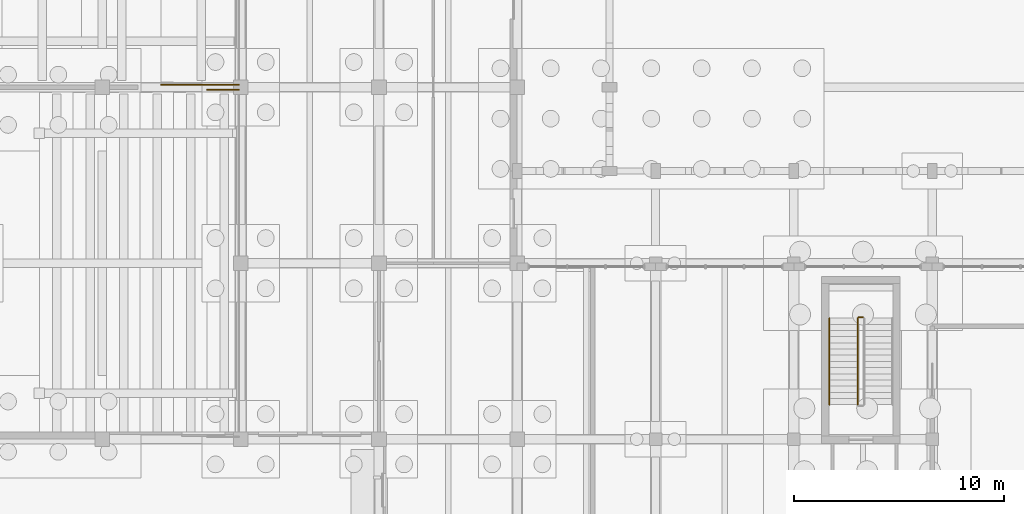
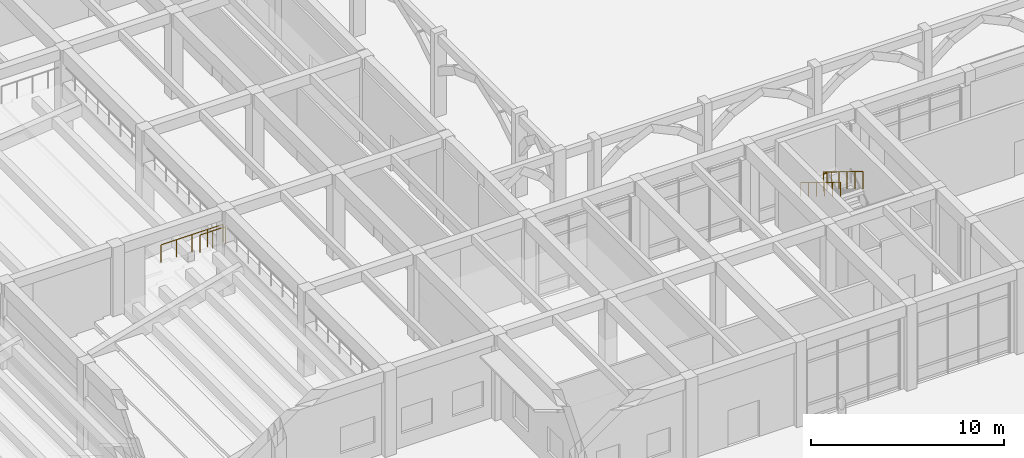
# One storey, part 77 of 82: 5 railings.
"""IFC4 building model written with IfcOpenShell, lengths in metres."""

import ifcopenshell
import ifcopenshell.guid

model = None  # the IFC model being written
_history = None  # IfcOwnerHistory: only IFC2X3 demands one
_inside = {}  # id of a spatial element -> (the spatial element, [elements in it])
_under = {}  # id of a project, library or spatial element -> (it, [spatial elements below it])
_declared = {}  # id of a project -> (the project, [libraries it declares])
_typed = {}  # id of a type object -> (the type object, [elements of that type])
_made_of = {}  # id of a material, layer set ... -> (it, [elements and type objects made of it])


def new_model(schema):
    """Start an empty IFC model of exactly this schema.

    Asked for "IFC4X3", IfcOpenShell would pick the latest addendum, in which some entities
    have other attributes; the version numbers below select the first issue.
    IFC2X3 requires an IfcOwnerHistory on every rooted entity: one is made here for all.
    """
    global model, _history
    if schema == "IFC4X3":
        model = ifcopenshell.file(schema_version=(4, 3, 0, 0))
    else:
        model = ifcopenshell.file(schema=schema)
    _inside.clear()
    _under.clear()
    _declared.clear()
    _typed.clear()
    _made_of.clear()
    _history = None
    if model.schema == "IFC2X3":
        org = make("IfcOrganization", Name="unknown")
        user = make(
            "IfcPersonAndOrganization",
            ThePerson=make("IfcPerson", FamilyName="unknown"),
            TheOrganization=org,
        )
        app = make(
            "IfcApplication",
            ApplicationDeveloper=org,
            Version="unknown",
            ApplicationFullName="unknown",
            ApplicationIdentifier="unknown",
        )
        _history = make(
            "IfcOwnerHistory",
            OwningUser=user,
            OwningApplication=app,
            ChangeAction="ADDED",
            CreationDate=0,
        )
    return model


def make(cls, **values):
    """One entity of the class cls with the attributes given. An attribute that is None is left unset."""
    return model.create_entity(
        cls, **{name: value for name, value in values.items() if value is not None}
    )


def rooted(cls, **values):
    """An entity with a GlobalId (a new one), such as an element, a storey or a relation."""
    return make(cls, GlobalId=ifcopenshell.guid.new(), OwnerHistory=_history, **values)


def si_unit(unit_type, name, prefix=None):
    """IfcSIUnit, for example si_unit("LENGTHUNIT", "METRE", prefix="MILLI")."""
    return make("IfcSIUnit", UnitType=unit_type, Prefix=prefix, Name=name)


def assignment(units):
    """IfcUnitAssignment: the units of a project."""
    return None if units is None else make("IfcUnitAssignment", Units=units)


def point(xyz):
    """IfcCartesianPoint."""
    return None if xyz is None else make("IfcCartesianPoint", Coordinates=xyz)


def direction(xyz):
    """IfcDirection."""
    return None if xyz is None else make("IfcDirection", DirectionRatios=xyz)


def frame(location, z_axis=None, x_axis=None):
    """IfcAxis2Placement3D, a coordinate frame: its origin and axes. An axis left out is left unset."""
    return make(
        "IfcAxis2Placement3D",
        Location=point(location),
        Axis=direction(z_axis),
        RefDirection=direction(x_axis),
    )


def frame_2d(location, x_axis=None):
    """IfcAxis2Placement2D, a coordinate frame in the plane: its origin and x axis."""
    return make(
        "IfcAxis2Placement2D", Location=point(location), RefDirection=direction(x_axis)
    )


def origin():
    """The frame at (0, 0, 0) with its axes left unset."""
    return frame((0.0, 0.0, 0.0))


def origin_2d():
    """The frame at (0, 0) in the plane with its x axis left unset."""
    return frame_2d((0.0, 0.0))


def place(relative_to, where):
    """IfcLocalPlacement: puts the frame where relative to a parent placement (None: the world)."""
    return make(
        "IfcLocalPlacement", PlacementRelTo=relative_to, RelativePlacement=where
    )


def context(
    kind, dimensions, precision=None, world=None, true_north=None, identifier=None
):
    """IfcGeometricRepresentationContext, for example the 3D "Model" context."""
    return make(
        "IfcGeometricRepresentationContext",
        ContextIdentifier=identifier,
        ContextType=kind,
        CoordinateSpaceDimension=dimensions,
        Precision=precision,
        WorldCoordinateSystem=world,
        TrueNorth=true_north,
    )


def subcontext(parent, identifier, kind, view, scale=None):
    """IfcGeometricRepresentationSubContext, for example "Body" below "Model"."""
    return make(
        "IfcGeometricRepresentationSubContext",
        ContextIdentifier=identifier,
        ContextType=kind,
        ParentContext=parent,
        TargetScale=scale,
        TargetView=view,
    )


def project(units=None, contexts=None):
    """IfcProject with its units and contexts."""
    return rooted(
        "IfcProject",
        Name="project",
        RepresentationContexts=contexts,
        UnitsInContext=assignment(units),
    )


def spatial(cls, under=None, at=None, **own):
    """A site, building, storey or space (cls), placed at a placement, below another one or the project."""
    s = rooted(cls, ObjectPlacement=at, **own)
    if under is not None:
        _under.setdefault(under.id(), (under, []))[1].append(s)
    return s


def profile(cls, at=None, kind="AREA", **sizes):
    """A parametric profile (cls). Its sizes go by their IFC names, for example OverallWidth=200.0."""
    return make(cls, ProfileType=kind, Position=at, **sizes)


def circle(**sizes):
    """IfcCircleProfileDef."""
    return profile("IfcCircleProfileDef", **sizes)


def extrude(swept, where, along, depth):
    """IfcExtrudedAreaSolid: the profile swept, set in the frame where, extruded along a direction by depth."""
    return make(
        "IfcExtrudedAreaSolid",
        SweptArea=swept,
        Position=where,
        ExtrudedDirection=direction(along),
        Depth=depth,
    )


def shape(context_of_items, identifier, shape_type, items):
    """IfcShapeRepresentation: the items that make up one representation, for example the "Body"."""
    return make(
        "IfcShapeRepresentation",
        ContextOfItems=context_of_items,
        RepresentationIdentifier=identifier,
        RepresentationType=shape_type,
        Items=items,
    )


def material(Name=None, Category=None):
    """IfcMaterial."""
    return make("IfcMaterial", Name=Name, Category=Category)


def layer(
    of_material, thickness, ventilated=None, Name=None, Category=None, Priority=None
):
    """IfcMaterialLayer: one layer of a wall or slab, of a material (None: an air gap)."""
    return make(
        "IfcMaterialLayer",
        Material=of_material,
        LayerThickness=thickness,
        IsVentilated=ventilated,
        Name=Name,
        Category=Category,
        Priority=Priority,
    )


def layer_set(layers, Name=None):
    """IfcMaterialLayerSet."""
    return make("IfcMaterialLayerSet", MaterialLayers=layers, LayerSetName=Name)


def made_of(thing, what):
    """Note that an element or type object is made of a material, layer set ...; save() writes the relation."""
    if what is not None:
        _made_of.setdefault(what.id(), (what, []))[1].append(thing)
    return thing


def type_object(cls, material=None, **own):
    """A type object (cls), such as IfcWallType, which elements share."""
    return made_of(rooted(cls, **own), material)


def element(
    cls,
    number,
    at=None,
    inside=None,
    cuts=None,
    type_object=None,
    material=None,
    context=None,
    identifier="Body",
    shape_type=None,
    held_by="IfcProductDefinitionShape",
    body=None,
    shapes=None,
    **own,
):
    """One element of the class cls, such as IfcWall. Its Tag is "e" and its number.

    at: its placement. inside: the storey or other place that contains it. cuts: it is an
    opening in that element (IfcRelVoidsElement). A single representation is given by context,
    identifier, shape_type and body (its items); several are given by shapes. held_by: the class
    of the entity that holds the representations. save() writes the other relations.
    """
    e = rooted(cls, Tag="e%d" % number, ObjectPlacement=at, **own)
    if body is not None:
        shapes = [shape(context, identifier, shape_type, body)]
    if shapes is not None:
        e.Representation = make(held_by, Representations=shapes)
    if inside is not None:
        _inside.setdefault(inside.id(), (inside, []))[1].append(e)
    if cuts is not None:
        rooted(
            "IfcRelVoidsElement", RelatingBuildingElement=cuts, RelatedOpeningElement=e
        )
    if type_object is not None:
        _typed.setdefault(type_object.id(), (type_object, []))[1].append(e)
    return made_of(e, material)


def aggregate(whole, parts):
    """IfcRelAggregates: a whole, such as a stair, and the parts it consists of."""
    return rooted("IfcRelAggregates", RelatingObject=whole, RelatedObjects=parts)


def save(model, path):
    """Write the relations noted so far, then the file.

    IfcRelAggregates (storeys below a building ...), IfcRelContainedInSpatialStructure (elements
    in a storey), IfcRelDefinesByType, IfcRelAssociatesMaterial and IfcRelDeclares: one each for
    every whole, place, type object, material and project.
    """
    for whole, parts in _under.values():
        aggregate(whole, parts)
    for where, things in _inside.values():
        rooted(
            "IfcRelContainedInSpatialStructure",
            RelatedElements=things,
            RelatingStructure=where,
        )
    for kind, things in _typed.values():
        rooted("IfcRelDefinesByType", RelatedObjects=things, RelatingType=kind)
    for what, things in _made_of.values():
        rooted("IfcRelAssociatesMaterial", RelatedObjects=things, RelatingMaterial=what)
    for by, libraries in _declared.values():
        rooted("IfcRelDeclares", RelatingContext=by, RelatedDefinitions=libraries)
    model.write(path)


model = new_model("IFC4")

# Units and contexts
model_context = context("Model", 3, precision=1e-05, world=origin(), true_north=direction((0.0, 1.0)))
body_context = subcontext(model_context, "Body", "Model", "MODEL_VIEW")
ifc_project = project(units=[si_unit("LENGTHUNIT", "METRE"), si_unit("AREAUNIT", "SQUARE_METRE"), si_unit("VOLUMEUNIT", "CUBIC_METRE"), si_unit("PLANEANGLEUNIT", "RADIAN"), si_unit("MASSUNIT", "GRAM", prefix="KILO")], contexts=[model_context])

# Site, building, storey
site_placement = place(None, origin())
site = spatial("IfcSite", under=ifc_project, at=site_placement, CompositionType="ELEMENT")
building_placement = place(site_placement, origin())
building = spatial("IfcBuilding", under=site, at=building_placement, Name="Kolvaren Faculty of Natural Sciences", CompositionType="ELEMENT")
storey_placement = place(building_placement, origin())
storey = spatial("IfcBuildingStorey", under=building, at=storey_placement, Name="L00", CompositionType="ELEMENT", Elevation=0.0)

# Railings
ifc_material = material(Name="Structural steel EN 10210-1 S355J2H", Category="steel")
ifc_layer_1 = layer(ifc_material, 0.048095703125)
ifc_layer_set_1 = layer_set([ifc_layer_1], Name="Structural steel EN 10210-1 S355J2H")
railing_type_1 = type_object("IfcRailingType", Name="GuardRailing_GDVOID1", PredefinedType="BALUSTRADE", material=ifc_layer_set_1)
railing_1_placement = place(storey_placement, frame((29.39990234375, 92.719970703125, 3.1201171875)))
element("IfcRailing", 1, at=railing_1_placement, inside=storey, type_object=railing_type_1, Name="L00 LT-1 top tier rear balustrade 43", PredefinedType="BALUSTRADE", context=body_context, shape_type="SweptSolid", body=[
    extrude(circle(Radius=0.02392578125, at=origin_2d()), frame((0.0, 0.0, 1.09619140625), z_axis=(1.0, 0.0, 0.0), x_axis=(0.0, 1.0, 0.0)), (0.0, 0.0, 1.0), 3.72021484375),
    extrude(circle(Radius=0.02099609375, at=origin_2d()), origin(), (0.0, 0.0, 1.0), 1.072021484375),
    extrude(circle(Radius=0.02099609375, at=origin_2d()), frame((0.93017578125, 0.0, 0.0)), (0.0, 0.0, 1.0), 1.072021484375),
    extrude(circle(Radius=0.02099609375, at=origin_2d()), frame((1.860107421875, 0.0, 0.0)), (0.0, 0.0, 1.0), 1.072021484375),
    extrude(circle(Radius=0.02099609375, at=origin_2d()), frame((2.7900390625, 0.0, 0.0)), (0.0, 0.0, 1.0), 1.072021484375),
    extrude(circle(Radius=0.02099609375, at=origin_2d()), frame((3.72021484375, 0.0, 0.0)), (0.0, 0.0, 1.0), 1.072021484375),
])
railing_2_placement = place(storey_placement, frame((31.60009765625, 92.47998046875, 3.1201171875)))
element("IfcRailing", 2, at=railing_2_placement, inside=storey, type_object=railing_type_1, Name="L00 LT-3 top tier rear balustrade 56", PredefinedType="BALUSTRADE", context=body_context, shape_type="SweptSolid", body=[
    extrude(circle(Radius=0.02392578125, at=origin_2d()), frame((0.0, 0.0, 1.09619140625), z_axis=(1.0, 0.0, 0.0), x_axis=(0.0, 1.0, 0.0)), (0.0, 0.0, 1.0), 1.52001953125),
    extrude(circle(Radius=0.02099609375, at=origin_2d()), origin(), (0.0, 0.0, 1.0), 1.072021484375),
    extrude(circle(Radius=0.02099609375, at=origin_2d()), frame((0.760009765625, 0.0, 0.0)), (0.0, 0.0, 1.0), 1.072021484375),
    extrude(circle(Radius=0.02099609375, at=origin_2d()), frame((1.52001953125, 0.0, 0.0)), (0.0, 0.0, 1.0), 1.072021484375),
])
ifc_layer_2 = layer(ifc_material, 0.048095703125)
ifc_layer_set_2 = layer_set([ifc_layer_2], Name="Structural steel EN 10210-1 S355J2H")
railing_type_2 = type_object("IfcRailingType", Name="StairPitchHandrail_920", PredefinedType="HANDRAIL", material=ifc_layer_set_2)
railing_3_placement = place(storey_placement, frame((61.300048828125, 81.580078125, 2.8798828125)))
element("IfcRailing", 3, at=railing_3_placement, inside=storey, type_object=railing_type_2, Name="L00 ST-6 stair handrail 2", PredefinedType="HANDRAIL", context=body_context, shape_type="SweptSolid", body=[
    extrude(circle(Radius=0.02392578125, at=origin_2d()), frame((0.0, 0.0, 0.8759765625), z_axis=(0.0, -0.853644604182, 0.520855920338), x_axis=(1.0, 0.0, 0.0)), (0.0, 0.0, 1.0), 4.838134765625),
    extrude(circle(Radius=0.02099609375, at=origin_2d()), origin(), (0.0, 0.0, 1.0), 0.851806640625),
    extrude(circle(Radius=0.02099609375, at=origin_2d()), frame((0.0, -0.825927734375, 0.50390625)), (0.0, 0.0, 1.0), 0.851806640625),
    extrude(circle(Radius=0.02099609375, at=origin_2d()), frame((0.0, -1.652099609375, 1.008056640625)), (0.0, 0.0, 1.0), 0.851806640625),
    extrude(circle(Radius=0.02099609375, at=origin_2d()), frame((0.0, -2.47802734375, 1.511962890625)), (0.0, 0.0, 1.0), 0.851806640625),
    extrude(circle(Radius=0.02099609375, at=origin_2d()), frame((0.0, -3.30419921875, 2.01611328125)), (0.0, 0.0, 1.0), 0.851806640625),
    extrude(circle(Radius=0.02099609375, at=origin_2d()), frame((0.0, -4.130126953125, 2.52001953125)), (0.0, 0.0, 1.0), 0.851806640625),
])
ifc_layer_3 = layer(ifc_material, 0.048095703125)
ifc_layer_set_3 = layer_set([ifc_layer_3], Name="Structural steel EN 10210-1 S355J2H")
railing_type_3 = type_object("IfcRailingType", Name="StairWellGuard_1100", PredefinedType="BALUSTRADE", material=ifc_layer_set_3)
railing_4_placement = place(storey_placement, frame((62.89990234375, 81.6298828125, 2.699951171875)))
element("IfcRailing", 4, at=railing_4_placement, inside=storey, type_object=railing_type_3, Name="L00 ST-6 stair guard 2", PredefinedType="BALUSTRADE", context=body_context, shape_type="SweptSolid", body=[
    extrude(circle(Radius=0.02392578125, at=origin_2d()), frame((0.0, 0.0, 1.076171875), z_axis=(-1.0, 0.0, 0.0), x_axis=(0.0, -1.0, 0.0)), (0.0, 0.0, 1.0), 0.199951171875),
    extrude(circle(Radius=0.02099609375, at=origin_2d()), origin(), (0.0, 0.0, 1.0), 1.052001953125),
    extrude(circle(Radius=0.02099609375, at=origin_2d()), frame((-0.199951171875, 0.0, 0.0)), (0.0, 0.0, 1.0), 1.052001953125),
])
railing_5_placement = place(storey_placement, frame((62.64990234375, 81.580078125, 2.8798828125)))
element("IfcRailing", 5, at=railing_5_placement, inside=storey, type_object=railing_type_3, Name="L00 ST-6 stair guard 3", PredefinedType="BALUSTRADE", context=body_context, shape_type="SweptSolid", body=[
    extrude(circle(Radius=0.02392578125, at=origin_2d()), frame((0.0, 0.0, 1.076171875), z_axis=(0.0, -0.853644604182, 0.520855920338), x_axis=(1.0, 0.0, 0.0)), (0.0, 0.0, 1.0), 4.838134765625),
    extrude(circle(Radius=0.02099609375, at=origin_2d()), origin(), (0.0, 0.0, 1.0), 1.052001953125),
    extrude(circle(Radius=0.02099609375, at=origin_2d()), frame((0.0, -0.825927734375, 0.50390625)), (0.0, 0.0, 1.0), 1.052001953125),
    extrude(circle(Radius=0.02099609375, at=origin_2d()), frame((0.0, -1.652099609375, 1.008056640625)), (0.0, 0.0, 1.0), 1.052001953125),
    extrude(circle(Radius=0.02099609375, at=origin_2d()), frame((0.0, -2.47802734375, 1.511962890625)), (0.0, 0.0, 1.0), 1.052001953125),
    extrude(circle(Radius=0.02099609375, at=origin_2d()), frame((0.0, -3.30419921875, 2.01611328125)), (0.0, 0.0, 1.0), 1.052001953125),
    extrude(circle(Radius=0.02099609375, at=origin_2d()), frame((0.0, -4.130126953125, 2.52001953125)), (0.0, 0.0, 1.0), 1.052001953125),
])

save(model, "model.ifc")
